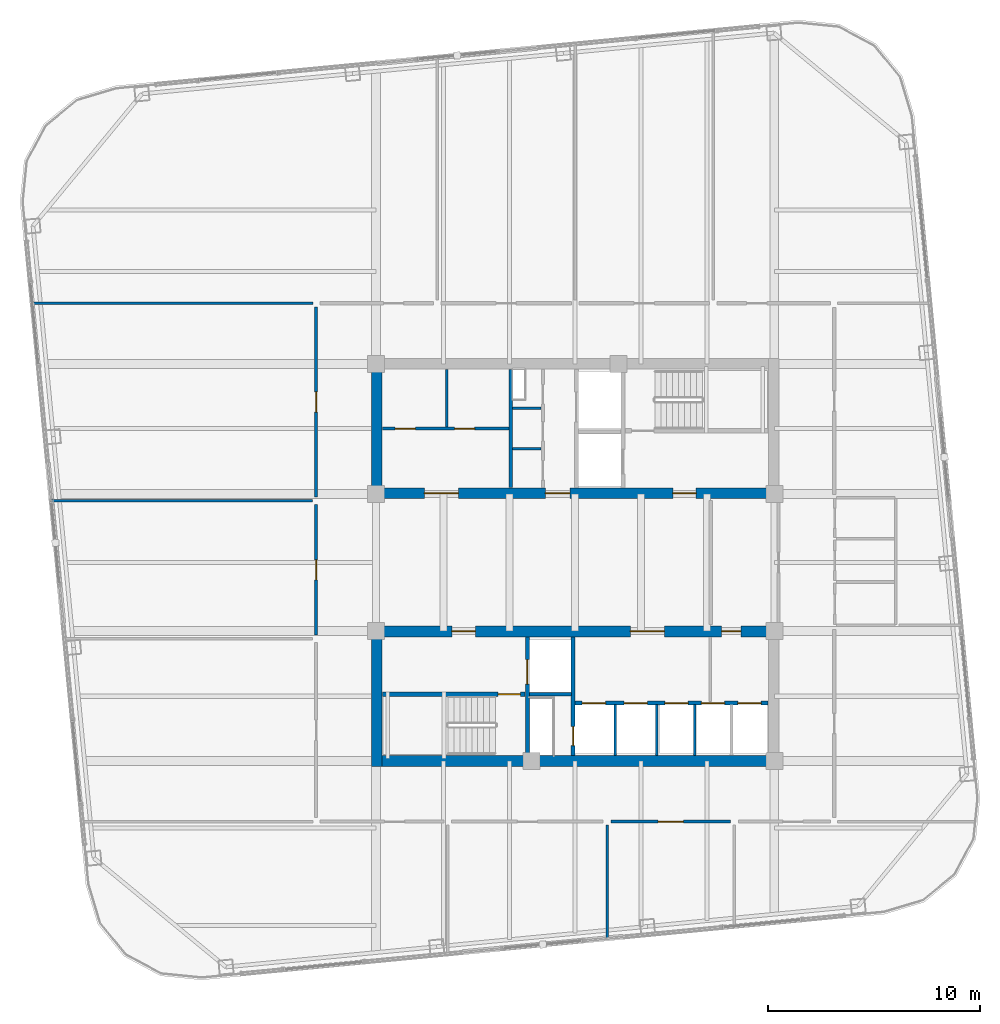
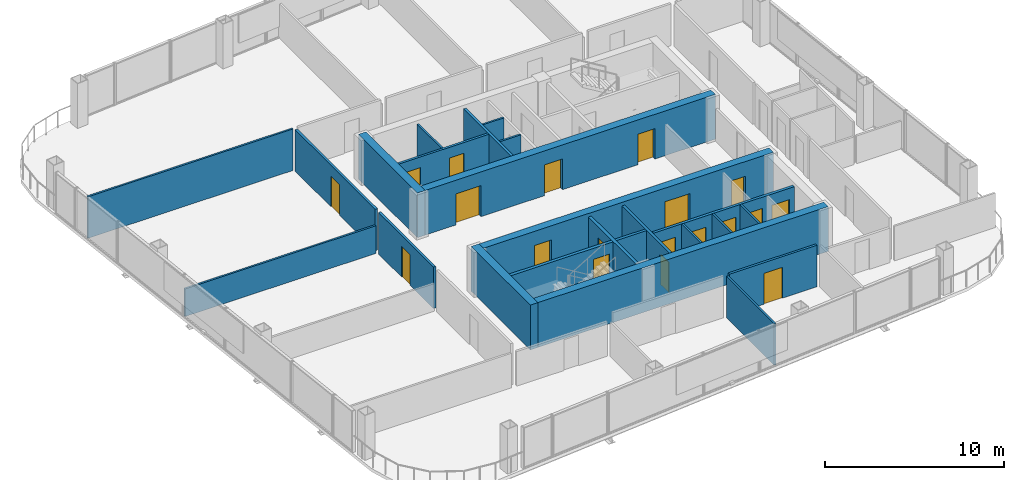
# One storey, part 17 of 22: 24 walls, 19 doors, 19 openings.
"""IFC4 building model written with IfcOpenShell, lengths in metres."""

import ifcopenshell
import ifcopenshell.guid

model = None  # the IFC model being written
_history = None  # IfcOwnerHistory: only IFC2X3 demands one
_inside = {}  # id of a spatial element -> (the spatial element, [elements in it])
_under = {}  # id of a project, library or spatial element -> (it, [spatial elements below it])
_declared = {}  # id of a project -> (the project, [libraries it declares])
_typed = {}  # id of a type object -> (the type object, [elements of that type])
_made_of = {}  # id of a material, layer set ... -> (it, [elements and type objects made of it])


def new_model(schema):
    """Start an empty IFC model of exactly this schema.

    Asked for "IFC4X3", IfcOpenShell would pick the latest addendum, in which some entities
    have other attributes; the version numbers below select the first issue.
    IFC2X3 requires an IfcOwnerHistory on every rooted entity: one is made here for all.
    """
    global model, _history
    if schema == "IFC4X3":
        model = ifcopenshell.file(schema_version=(4, 3, 0, 0))
    else:
        model = ifcopenshell.file(schema=schema)
    _inside.clear()
    _under.clear()
    _declared.clear()
    _typed.clear()
    _made_of.clear()
    _history = None
    if model.schema == "IFC2X3":
        org = make("IfcOrganization", Name="unknown")
        user = make(
            "IfcPersonAndOrganization",
            ThePerson=make("IfcPerson", FamilyName="unknown"),
            TheOrganization=org,
        )
        app = make(
            "IfcApplication",
            ApplicationDeveloper=org,
            Version="unknown",
            ApplicationFullName="unknown",
            ApplicationIdentifier="unknown",
        )
        _history = make(
            "IfcOwnerHistory",
            OwningUser=user,
            OwningApplication=app,
            ChangeAction="ADDED",
            CreationDate=0,
        )
    return model


def make(cls, **values):
    """One entity of the class cls with the attributes given. An attribute that is None is left unset."""
    return model.create_entity(
        cls, **{name: value for name, value in values.items() if value is not None}
    )


def rooted(cls, **values):
    """An entity with a GlobalId (a new one), such as an element, a storey or a relation."""
    return make(cls, GlobalId=ifcopenshell.guid.new(), OwnerHistory=_history, **values)


def si_unit(unit_type, name, prefix=None):
    """IfcSIUnit, for example si_unit("LENGTHUNIT", "METRE", prefix="MILLI")."""
    return make("IfcSIUnit", UnitType=unit_type, Prefix=prefix, Name=name)


def assignment(units):
    """IfcUnitAssignment: the units of a project."""
    return None if units is None else make("IfcUnitAssignment", Units=units)


def point(xyz):
    """IfcCartesianPoint."""
    return None if xyz is None else make("IfcCartesianPoint", Coordinates=xyz)


def direction(xyz):
    """IfcDirection."""
    return None if xyz is None else make("IfcDirection", DirectionRatios=xyz)


def frame(location, z_axis=None, x_axis=None):
    """IfcAxis2Placement3D, a coordinate frame: its origin and axes. An axis left out is left unset."""
    return make(
        "IfcAxis2Placement3D",
        Location=point(location),
        Axis=direction(z_axis),
        RefDirection=direction(x_axis),
    )


def frame_2d(location, x_axis=None):
    """IfcAxis2Placement2D, a coordinate frame in the plane: its origin and x axis."""
    return make(
        "IfcAxis2Placement2D", Location=point(location), RefDirection=direction(x_axis)
    )


def origin():
    """The frame at (0, 0, 0) with its axes left unset."""
    return frame((0.0, 0.0, 0.0))


def place(relative_to, where):
    """IfcLocalPlacement: puts the frame where relative to a parent placement (None: the world)."""
    return make(
        "IfcLocalPlacement", PlacementRelTo=relative_to, RelativePlacement=where
    )


def context(
    kind, dimensions, precision=None, world=None, true_north=None, identifier=None
):
    """IfcGeometricRepresentationContext, for example the 3D "Model" context."""
    return make(
        "IfcGeometricRepresentationContext",
        ContextIdentifier=identifier,
        ContextType=kind,
        CoordinateSpaceDimension=dimensions,
        Precision=precision,
        WorldCoordinateSystem=world,
        TrueNorth=true_north,
    )


def subcontext(parent, identifier, kind, view, scale=None):
    """IfcGeometricRepresentationSubContext, for example "Body" below "Model"."""
    return make(
        "IfcGeometricRepresentationSubContext",
        ContextIdentifier=identifier,
        ContextType=kind,
        ParentContext=parent,
        TargetScale=scale,
        TargetView=view,
    )


def project(units=None, contexts=None):
    """IfcProject with its units and contexts."""
    return rooted(
        "IfcProject",
        Name="project",
        RepresentationContexts=contexts,
        UnitsInContext=assignment(units),
    )


def spatial(cls, under=None, at=None, **own):
    """A site, building, storey or space (cls), placed at a placement, below another one or the project."""
    s = rooted(cls, ObjectPlacement=at, **own)
    if under is not None:
        _under.setdefault(under.id(), (under, []))[1].append(s)
    return s


def profile(cls, at=None, kind="AREA", **sizes):
    """A parametric profile (cls). Its sizes go by their IFC names, for example OverallWidth=200.0."""
    return make(cls, ProfileType=kind, Position=at, **sizes)


def rectangle(**sizes):
    """IfcRectangleProfileDef."""
    return profile("IfcRectangleProfileDef", **sizes)


def extrude(swept, where, along, depth):
    """IfcExtrudedAreaSolid: the profile swept, set in the frame where, extruded along a direction by depth."""
    return make(
        "IfcExtrudedAreaSolid",
        SweptArea=swept,
        Position=where,
        ExtrudedDirection=direction(along),
        Depth=depth,
    )


def shape(context_of_items, identifier, shape_type, items):
    """IfcShapeRepresentation: the items that make up one representation, for example the "Body"."""
    return make(
        "IfcShapeRepresentation",
        ContextOfItems=context_of_items,
        RepresentationIdentifier=identifier,
        RepresentationType=shape_type,
        Items=items,
    )


def material(Name=None, Category=None):
    """IfcMaterial."""
    return make("IfcMaterial", Name=Name, Category=Category)


def layer(
    of_material, thickness, ventilated=None, Name=None, Category=None, Priority=None
):
    """IfcMaterialLayer: one layer of a wall or slab, of a material (None: an air gap)."""
    return make(
        "IfcMaterialLayer",
        Material=of_material,
        LayerThickness=thickness,
        IsVentilated=ventilated,
        Name=Name,
        Category=Category,
        Priority=Priority,
    )


def layer_set(layers, Name=None):
    """IfcMaterialLayerSet."""
    return make("IfcMaterialLayerSet", MaterialLayers=layers, LayerSetName=Name)


def made_of(thing, what):
    """Note that an element or type object is made of a material, layer set ...; save() writes the relation."""
    if what is not None:
        _made_of.setdefault(what.id(), (what, []))[1].append(thing)
    return thing


def type_object(cls, material=None, **own):
    """A type object (cls), such as IfcWallType, which elements share."""
    return made_of(rooted(cls, **own), material)


def element(
    cls,
    number,
    at=None,
    inside=None,
    cuts=None,
    type_object=None,
    material=None,
    context=None,
    identifier="Body",
    shape_type=None,
    held_by="IfcProductDefinitionShape",
    body=None,
    shapes=None,
    **own,
):
    """One element of the class cls, such as IfcWall. Its Tag is "e" and its number.

    at: its placement. inside: the storey or other place that contains it. cuts: it is an
    opening in that element (IfcRelVoidsElement). A single representation is given by context,
    identifier, shape_type and body (its items); several are given by shapes. held_by: the class
    of the entity that holds the representations. save() writes the other relations.
    """
    e = rooted(cls, Tag="e%d" % number, ObjectPlacement=at, **own)
    if body is not None:
        shapes = [shape(context, identifier, shape_type, body)]
    if shapes is not None:
        e.Representation = make(held_by, Representations=shapes)
    if inside is not None:
        _inside.setdefault(inside.id(), (inside, []))[1].append(e)
    if cuts is not None:
        rooted(
            "IfcRelVoidsElement", RelatingBuildingElement=cuts, RelatedOpeningElement=e
        )
    if type_object is not None:
        _typed.setdefault(type_object.id(), (type_object, []))[1].append(e)
    return made_of(e, material)


def fill(opening, filler):
    """IfcRelFillsElement: the door or window that sits in an opening."""
    return rooted(
        "IfcRelFillsElement",
        RelatingOpeningElement=opening,
        RelatedBuildingElement=filler,
    )


def aggregate(whole, parts):
    """IfcRelAggregates: a whole, such as a stair, and the parts it consists of."""
    return rooted("IfcRelAggregates", RelatingObject=whole, RelatedObjects=parts)


def save(model, path):
    """Write the relations noted so far, then the file.

    IfcRelAggregates (storeys below a building ...), IfcRelContainedInSpatialStructure (elements
    in a storey), IfcRelDefinesByType, IfcRelAssociatesMaterial and IfcRelDeclares: one each for
    every whole, place, type object, material and project.
    """
    for whole, parts in _under.values():
        aggregate(whole, parts)
    for where, things in _inside.values():
        rooted(
            "IfcRelContainedInSpatialStructure",
            RelatedElements=things,
            RelatingStructure=where,
        )
    for kind, things in _typed.values():
        rooted("IfcRelDefinesByType", RelatedObjects=things, RelatingType=kind)
    for what, things in _made_of.values():
        rooted("IfcRelAssociatesMaterial", RelatedObjects=things, RelatingMaterial=what)
    for by, libraries in _declared.values():
        rooted("IfcRelDeclares", RelatingContext=by, RelatedDefinitions=libraries)
    model.write(path)


model = new_model("IFC4")

# Units and contexts
model_context = context("Model", 3, precision=1e-05, world=origin(), true_north=direction((0.0, 1.0)))
body_context = subcontext(model_context, "Body", "Model", "MODEL_VIEW")
ifc_project = project(units=[si_unit("LENGTHUNIT", "METRE"), si_unit("AREAUNIT", "SQUARE_METRE"), si_unit("VOLUMEUNIT", "CUBIC_METRE"), si_unit("PLANEANGLEUNIT", "RADIAN"), si_unit("MASSUNIT", "GRAM", prefix="KILO")], contexts=[model_context])

# Site, building, storey
site_placement = place(None, origin())
site = spatial("IfcSite", under=ifc_project, at=site_placement, CompositionType="ELEMENT")
building_placement = place(site_placement, origin())
building = spatial("IfcBuilding", under=site, at=building_placement, Name="Qhalaya Broadcast Tower", CompositionType="ELEMENT")
storey_placement = place(building_placement, frame((0.0, 0.0, 174.449951171875)))
storey = spatial("IfcBuildingStorey", under=building, at=storey_placement, Name="L51", CompositionType="ELEMENT", Elevation=174.449951171875)

# Wall, openings, doors
ifc_material_1 = material(Name="Gypsum Acoustic Partition")
ifc_layer_1 = layer(ifc_material_1, 0.14990234375, Name="Gypsum Acoustic Partition")
ifc_layer_set_1 = layer_set([ifc_layer_1], Name="Gypsum Acoustic Partition")
wall_type_1 = type_object("IfcWallType", Name="Corridor & Tenancy Acoustic Partition 150", PredefinedType="PARTITIONING", material=ifc_layer_set_1)
wall_1_placement = place(storey_placement, frame((-9.080078125, 6.89990234375, 0.0), z_axis=(0.0, 0.0, 1.0), x_axis=(1.0, 0.0, 0.0)))
wall_1 = element("IfcWall", 1, at=wall_1_placement, inside=storey, type_object=wall_type_1, Name="L51 Partition Wall NCW-REC1", PredefinedType="PARTITIONING", context=body_context, shape_type="SweptSolid", body=[
    extrude(rectangle(XDim=5.9599609375, YDim=0.14990234375, at=frame_2d((2.97998046875, 0.0))), origin(), (0.0, 0.0, 1.0), 2.830078125),
])
opening_1_placement = place(wall_1_placement, frame((0.60009765625, 0.0, 0.0)))
opening_1 = element("IfcOpeningElement", 2, at=opening_1_placement, cuts=wall_1, Name="Opening D10", PredefinedType="OPENING", context=body_context, shape_type="SweptSolid", body=[
    extrude(rectangle(XDim=0.949951171875, YDim=2.10009765625, at=frame_2d((0.47509765625, 1.050048828125))), frame((0.0, 0.0869140625, 0.0), z_axis=(0.0, -1.0, 0.0), x_axis=(1.0, 0.0, 0.0)), (0.0, 0.0, 1.0), 0.173828125),
])
opening_2_placement = place(wall_1_placement, frame((3.39990234375, 0.0, 0.0)))
opening_2 = element("IfcOpeningElement", 3, at=opening_2_placement, cuts=wall_1, Name="Opening D10", PredefinedType="OPENING", context=body_context, shape_type="SweptSolid", body=[
    extrude(rectangle(XDim=0.949951171875, YDim=2.10009765625, at=frame_2d((0.47509765625, 1.050048828125))), frame((0.0, 0.0869140625, 0.0), z_axis=(0.0, -1.0, 0.0), x_axis=(1.0, 0.0, 0.0)), (0.0, 0.0, 1.0), 0.173828125),
])
ifc_material_2 = material(Name="Timber Veneer Acoustic Door", Category="wood")
door_type_1 = type_object("IfcDoorType", Name="Cellular Office & Edit Booth Door D10", OperationType="NOTDEFINED", PredefinedType="DOOR", material=ifc_material_2)
door_1_placement = place(opening_1_placement, origin())
door_1 = element("IfcDoor", 4, at=door_1_placement, inside=storey, type_object=door_type_1, Name="L51 Door D-NREC1", OperationType="SINGLE_SWING_LEFT", OverallHeight=2.10009765625, OverallWidth=0.949951171875, PredefinedType="DOOR", context=body_context, shape_type="SweptSolid", body=[
    extrude(rectangle(XDim=0.949951171875, YDim=2.10009765625, at=frame_2d((0.47509765625, 1.050048828125))), frame((0.0, 0.02490234375, 0.0), z_axis=(0.0, -1.0, 0.0), x_axis=(1.0, 0.0, 0.0)), (0.0, 0.0, 1.0), 0.050048828125),
])
fill(opening_1, door_1)
door_2_placement = place(opening_2_placement, origin())
door_2 = element("IfcDoor", 5, at=door_2_placement, inside=storey, type_object=door_type_1, Name="L51 Door D-NREC2", OperationType="SINGLE_SWING_RIGHT", OverallHeight=2.10009765625, OverallWidth=0.949951171875, PredefinedType="DOOR", context=body_context, shape_type="SweptSolid", body=[
    extrude(rectangle(XDim=0.949951171875, YDim=2.10009765625, at=frame_2d((0.47509765625, 1.050048828125))), frame((0.0, 0.02490234375, 0.0), z_axis=(0.0, -1.0, 0.0), x_axis=(1.0, 0.0, 0.0)), (0.0, 0.0, 1.0), 0.050048828125),
])
fill(opening_2, door_2)

# Wall, opening, door
wall_2_placement = place(storey_placement, frame((1.679931640625, -11.60009765625, 0.0), z_axis=(0.0, 0.0, 1.0), x_axis=(1.0, 0.0, 0.0)))
wall_2 = element("IfcWall", 6, at=wall_2_placement, inside=storey, type_object=wall_type_1, Name="L51 Partition Wall W-COR-07", PredefinedType="PARTITIONING", context=body_context, shape_type="SweptSolid", body=[
    extrude(rectangle(XDim=5.64013671875, YDim=0.14990234375, at=frame_2d((2.820068359375, 0.0))), origin(), (0.0, 0.0, 1.0), 2.830078125),
])
opening_3_placement = place(wall_2_placement, frame((2.219970703125, 0.0, 0.0)))
opening_3 = element("IfcOpeningElement", 7, at=opening_3_placement, cuts=wall_2, Name="Opening D11", PredefinedType="OPENING", context=body_context, shape_type="SweptSolid", body=[
    extrude(rectangle(XDim=1.199951171875, YDim=2.10009765625, at=frame_2d((0.60009765625, 1.050048828125))), frame((0.0, 0.0869140625, 0.0), z_axis=(0.0, -1.0, 0.0), x_axis=(1.0, 0.0, 0.0)), (0.0, 0.0, 1.0), 0.173828125),
])
ifc_material_3 = material(Name="Anodised Aluminium Glazed Door", Category="aluminium")
door_type_2 = type_object("IfcDoorType", Name="Conference, Boardroom & Studio Control Door D11", OperationType="NOTDEFINED", PredefinedType="DOOR", material=ifc_material_3)
door_3_placement = place(opening_3_placement, origin())
door_3 = element("IfcDoor", 8, at=door_3_placement, inside=storey, type_object=door_type_2, Name="L51 Door D-RM07", OperationType="SINGLE_SWING_LEFT", OverallHeight=2.10009765625, OverallWidth=1.199951171875, PredefinedType="DOOR", context=body_context, shape_type="SweptSolid", body=[
    extrude(rectangle(XDim=1.199951171875, YDim=2.10009765625, at=frame_2d((0.60009765625, 1.050048828125))), frame((0.0, 0.02490234375, 0.0), z_axis=(0.0, -1.0, 0.0), x_axis=(1.0, 0.0, 0.0)), (0.0, 0.0, 1.0), 0.050048828125),
])
fill(opening_3, door_3)

wall_3_placement = place(storey_placement, frame((-12.199951171875, -2.820068359375, 0.0), z_axis=(0.0, 0.0, 1.0), x_axis=(0.0, 1.0, 0.0)))
wall_3 = element("IfcWall", 9, at=wall_3_placement, inside=storey, type_object=wall_type_1, Name="L51 Partition Wall W-COR-10", PredefinedType="PARTITIONING", context=body_context, shape_type="SweptSolid", body=[
    extrude(rectangle(XDim=6.14013671875, YDim=0.14990234375, at=frame_2d((3.070068359375, 0.0))), origin(), (0.0, 0.0, 1.0), 2.830078125),
])
opening_4_placement = place(wall_3_placement, frame((2.594970703125, 0.0, 0.0)))
opening_4 = element("IfcOpeningElement", 10, at=opening_4_placement, cuts=wall_3, Name="Opening D10", PredefinedType="OPENING", context=body_context, shape_type="SweptSolid", body=[
    extrude(rectangle(XDim=0.949951171875, YDim=2.10009765625, at=frame_2d((0.47509765625, 1.050048828125))), frame((0.0, 0.0869140625, 0.0), z_axis=(0.0, -1.0, 0.0), x_axis=(1.0, 0.0, 0.0)), (0.0, 0.0, 1.0), 0.173828125),
])
door_4_placement = place(opening_4_placement, origin())
door_4 = element("IfcDoor", 11, at=door_4_placement, inside=storey, type_object=door_type_1, Name="L51 Door D-RM10", OperationType="SINGLE_SWING_RIGHT", OverallHeight=2.10009765625, OverallWidth=0.949951171875, PredefinedType="DOOR", context=body_context, shape_type="SweptSolid", body=[
    extrude(rectangle(XDim=0.949951171875, YDim=2.10009765625, at=frame_2d((0.47509765625, 1.050048828125))), frame((0.0, 0.02490234375, 0.0), z_axis=(0.0, -1.0, 0.0), x_axis=(1.0, 0.0, 0.0)), (0.0, 0.0, 1.0), 0.050048828125),
])
fill(opening_4, door_4)

wall_4_placement = place(storey_placement, frame((-12.199951171875, 3.679931640625, 0.0), z_axis=(0.0, 0.0, 1.0), x_axis=(0.0, 1.0, 0.0)))
wall_4 = element("IfcWall", 12, at=wall_4_placement, inside=storey, type_object=wall_type_1, Name="L51 Partition Wall W-COR-11", PredefinedType="PARTITIONING", context=body_context, shape_type="SweptSolid", body=[
    extrude(rectangle(XDim=8.940185546875, YDim=0.14990234375, at=frame_2d((4.47021484375, 0.0))), origin(), (0.0, 0.0, 1.0), 2.830078125),
])
opening_5_placement = place(wall_4_placement, frame((3.9951171875, 0.0, 0.0)))
opening_5 = element("IfcOpeningElement", 13, at=opening_5_placement, cuts=wall_4, Name="Opening D10", PredefinedType="OPENING", context=body_context, shape_type="SweptSolid", body=[
    extrude(rectangle(XDim=0.949951171875, YDim=2.10009765625, at=frame_2d((0.47509765625, 1.050048828125))), frame((0.0, 0.0869140625, 0.0), z_axis=(0.0, -1.0, 0.0), x_axis=(1.0, 0.0, 0.0)), (0.0, 0.0, 1.0), 0.173828125),
])
door_5_placement = place(opening_5_placement, origin())
door_5 = element("IfcDoor", 14, at=door_5_placement, inside=storey, type_object=door_type_1, Name="L51 Door D-RM11", OperationType="SINGLE_SWING_LEFT", OverallHeight=2.10009765625, OverallWidth=0.949951171875, PredefinedType="DOOR", context=body_context, shape_type="SweptSolid", body=[
    extrude(rectangle(XDim=0.949951171875, YDim=2.10009765625, at=frame_2d((0.47509765625, 1.050048828125))), frame((0.0, 0.02490234375, 0.0), z_axis=(0.0, -1.0, 0.0), x_axis=(1.0, 0.0, 0.0)), (0.0, 0.0, 1.0), 0.050048828125),
])
fill(opening_5, door_5)

ifc_material_4 = material(Name="Concrete C50/60", Category="concrete")
ifc_layer_2 = layer(ifc_material_4, 0.199951171875, Name="Concrete C50/60")
ifc_layer_set_2 = layer_set([ifc_layer_2], Name="Concrete C50/60")
wall_type_2 = type_object("IfcWallType", Name="Load-Bearing Stair Shaft Wall 200", PredefinedType="SHEAR", material=ifc_layer_set_2)
wall_5_placement = place(storey_placement, frame((-9.080078125, -5.60498046875, 0.0), z_axis=(0.0, 0.0, 1.0), x_axis=(1.0, 0.0, 0.0)))
wall_5 = element("IfcWall", 15, at=wall_5_placement, inside=storey, type_object=wall_type_2, Name="L51 Stair Core Shear Wall SCW-ST2", PredefinedType="SHEAR", context=body_context, shape_type="SweptSolid", body=[
    extrude(rectangle(XDim=6.719970703125, YDim=0.199951171875, at=frame_2d((3.35986328125, 0.0))), origin(), (0.0, 0.0, 1.0), 2.830078125),
])
opening_6_placement = place(wall_5_placement, frame((5.449951171875, 0.0, 0.0)))
opening_6 = element("IfcOpeningElement", 16, at=opening_6_placement, cuts=wall_5, Name="Opening D03", PredefinedType="OPENING", context=body_context, shape_type="SweptSolid", body=[
    extrude(rectangle(XDim=1.050048828125, YDim=2.080078125, at=frame_2d((0.52490234375, 1.0400390625))), frame((0.0, 0.112060546875, 0.0), z_axis=(0.0, -1.0, 0.0), x_axis=(1.0, 0.0, 0.0)), (0.0, 0.0, 1.0), 0.223876953125),
])
ifc_material_5 = material(Name="Fire-Rated Steel Door", Category="steel")
door_type_3 = type_object("IfcDoorType", Name="Core Stair Protected Fire Door D03", OperationType="NOTDEFINED", PredefinedType="DOOR", material=ifc_material_5)
door_6_placement = place(opening_6_placement, origin())
door_6 = element("IfcDoor", 17, at=door_6_placement, inside=storey, type_object=door_type_3, Name="L51 Door D-SST2", OperationType="SINGLE_SWING_RIGHT", OverallHeight=2.080078125, OverallWidth=1.050048828125, PredefinedType="DOOR", context=body_context, shape_type="SweptSolid", body=[
    extrude(rectangle(XDim=1.050048828125, YDim=2.080078125, at=frame_2d((0.52490234375, 1.0400390625))), frame((0.0, 0.02490234375, 0.0), z_axis=(0.0, -1.0, 0.0), x_axis=(1.0, 0.0, 0.0)), (0.0, 0.0, 1.0), 0.050048828125),
])
fill(opening_6, door_6)

wall_6_placement = place(storey_placement, frame((-2.25, -8.47998046875, 0.0), z_axis=(0.0, 0.0, 1.0), x_axis=(0.0, 1.0, 0.0)))
wall_6 = element("IfcWall", 18, at=wall_6_placement, inside=storey, type_object=wall_type_2, Name="L51 Stair Core Shear Wall SCW-FF", PredefinedType="SHEAR", context=body_context, shape_type="SweptSolid", body=[
    extrude(rectangle(XDim=5.56005859375, YDim=0.199951171875, at=frame_2d((2.780029296875, 0.0))), origin(), (0.0, 0.0, 1.0), 2.830078125),
])
opening_7_placement = place(wall_6_placement, frame((3.35009765625, 0.0, 0.0)))
opening_7 = element("IfcOpeningElement", 19, at=opening_7_placement, cuts=wall_6, Name="Opening LD2", PredefinedType="OPENING", context=body_context, shape_type="SweptSolid", body=[
    extrude(rectangle(XDim=1.14990234375, YDim=2.080078125, at=frame_2d((0.574951171875, 1.0400390625))), frame((0.0, 0.112060546875, 0.0), z_axis=(0.0, -1.0, 0.0), x_axis=(1.0, 0.0, 0.0)), (0.0, 0.0, 1.0), 0.223876953125),
])
ifc_material_6 = material(Name="Brushed Stainless Steel Lift Door", Category="steel")
door_type_4 = type_object("IfcDoorType", Name="Firefighting Lift Sliding Landing Door LD2", OperationType="DOUBLE_DOOR_SLIDING", PredefinedType="DOOR", material=ifc_material_6)
door_7_placement = place(opening_7_placement, origin())
door_7 = element("IfcDoor", 20, at=door_7_placement, inside=storey, type_object=door_type_4, Name="L51 Door LD-FF2", OperationType="DOUBLE_DOOR_SLIDING", OverallHeight=2.080078125, OverallWidth=1.14990234375, PredefinedType="DOOR", context=body_context, shape_type="SweptSolid", body=[
    extrude(rectangle(XDim=1.14990234375, YDim=2.080078125, at=frame_2d((0.574951171875, 1.0400390625))), frame((0.0, 0.02490234375, 0.0), z_axis=(0.0, -1.0, 0.0), x_axis=(1.0, 0.0, 0.0)), (0.0, 0.0, 1.0), 0.050048828125),
])
fill(opening_7, door_7)

# Wall, openings, doors
ifc_layer_3 = layer(ifc_material_4, 0.5, Name="Concrete C50/60")
ifc_layer_set_3 = layer_set([ifc_layer_3], Name="Concrete C50/60")
wall_type_3 = type_object("IfcWallType", Name="Mid Split-Core Shear Wall 500", PredefinedType="SHEAR", material=ifc_layer_set_3)
wall_7_placement = place(storey_placement, frame((-9.60009765625, 3.85009765625, 0.0), z_axis=(0.0, 0.0, 1.0), x_axis=(1.0, 0.0, 0.0)))
wall_7 = element("IfcWall", 21, at=wall_7_placement, inside=storey, type_object=wall_type_3, Name="L51 Split-Core Shear Wall CW-NS", PredefinedType="SHEAR", context=body_context, shape_type="SweptSolid", body=[
    extrude(rectangle(XDim=19.2001953125, YDim=0.5, at=frame_2d((9.60009765625, 0.0))), origin(), (0.0, 0.0, 1.0), 3.050048828125),
])
opening_8_placement = place(wall_7_placement, frame((14.199951171875, 0.0, 0.0)))
opening_8 = element("IfcOpeningElement", 22, at=opening_8_placement, cuts=wall_7, Name="Opening D04", PredefinedType="OPENING", context=body_context, shape_type="SweptSolid", body=[
    extrude(rectangle(XDim=1.10009765625, YDim=2.080078125, at=frame_2d((0.550048828125, 1.0400390625))), frame((0.0, 0.261962890625, 0.0), z_axis=(0.0, -1.0, 0.0), x_axis=(1.0, 0.0, 0.0)), (0.0, 0.0, 1.0), 0.52392578125),
])
opening_9_placement = place(wall_7_placement, frame((8.199951171875, 0.0, 0.0)))
opening_9 = element("IfcOpeningElement", 23, at=opening_9_placement, cuts=wall_7, Name="Opening D05", PredefinedType="OPENING", context=body_context, shape_type="SweptSolid", body=[
    extrude(rectangle(XDim=1.14990234375, YDim=2.10009765625, at=frame_2d((0.574951171875, 1.050048828125))), frame((0.0, 0.261962890625, 0.0), z_axis=(0.0, -1.0, 0.0), x_axis=(1.0, 0.0, 0.0)), (0.0, 0.0, 1.0), 0.52392578125),
])
opening_10_placement = place(wall_7_placement, frame((2.5, 0.0, 0.0)))
opening_10 = element("IfcOpeningElement", 24, at=opening_10_placement, cuts=wall_7, Name="Opening D07", PredefinedType="OPENING", context=body_context, shape_type="SweptSolid", body=[
    extrude(rectangle(XDim=1.60009765625, YDim=2.1201171875, at=frame_2d((0.800048828125, 1.06005859375))), frame((0.0, 0.261962890625, 0.0), z_axis=(0.0, -1.0, 0.0), x_axis=(1.0, 0.0, 0.0)), (0.0, 0.0, 1.0), 0.52392578125),
])
door_type_5 = type_object("IfcDoorType", Name="Firefighting Lobby Rated Door D04", OperationType="NOTDEFINED", PredefinedType="DOOR", material=ifc_material_5)
door_8_placement = place(opening_8_placement, origin())
door_8 = element("IfcDoor", 25, at=door_8_placement, inside=storey, type_object=door_type_5, Name="L51 Door D-NFF", OperationType="SINGLE_SWING_RIGHT", OverallHeight=2.080078125, OverallWidth=1.10009765625, PredefinedType="DOOR", context=body_context, shape_type="SweptSolid", body=[
    extrude(rectangle(XDim=1.10009765625, YDim=2.080078125, at=frame_2d((0.550048828125, 1.0400390625))), frame((0.0, 0.02490234375, 0.0), z_axis=(0.0, -1.0, 0.0), x_axis=(1.0, 0.0, 0.0)), (0.0, 0.0, 1.0), 0.050048828125),
])
fill(opening_8, door_8)
door_type_6 = type_object("IfcDoorType", Name="Passenger Lift Lobby Double Glazed Door D07", OperationType="DOUBLE_DOOR_SINGLE_SWING", PredefinedType="DOOR", material=ifc_material_3)
door_9_placement = place(opening_10_placement, origin())
door_9 = element("IfcDoor", 26, at=door_9_placement, inside=storey, type_object=door_type_6, Name="L51 Door D-NRECV", OperationType="DOUBLE_DOOR_SINGLE_SWING", OverallHeight=2.1201171875, OverallWidth=1.60009765625, PredefinedType="DOOR", context=body_context, shape_type="SweptSolid", body=[
    extrude(rectangle(XDim=1.60009765625, YDim=2.1201171875, at=frame_2d((0.800048828125, 1.06005859375))), frame((0.0, 0.02490234375, 0.0), z_axis=(0.0, -1.0, 0.0), x_axis=(1.0, 0.0, 0.0)), (0.0, 0.0, 1.0), 0.050048828125),
])
fill(opening_10, door_9)
door_type_7 = type_object("IfcDoorType", Name="Refuge & Plant Room Fire Door D05", OperationType="NOTDEFINED", PredefinedType="DOOR", material=ifc_material_5)
door_10_placement = place(opening_9_placement, origin())
door_10 = element("IfcDoor", 27, at=door_10_placement, inside=storey, type_object=door_type_7, Name="L51 Door D-NSVL", OperationType="SINGLE_SWING_LEFT", OverallHeight=2.10009765625, OverallWidth=1.14990234375, PredefinedType="DOOR", context=body_context, shape_type="SweptSolid", body=[
    extrude(rectangle(XDim=1.14990234375, YDim=2.10009765625, at=frame_2d((0.574951171875, 1.050048828125))), frame((0.0, 0.02490234375, 0.0), z_axis=(0.0, -1.0, 0.0), x_axis=(1.0, 0.0, 0.0)), (0.0, 0.0, 1.0), 0.050048828125),
])
fill(opening_9, door_10)

# Walls
wall_8_placement = place(storey_placement, frame((-9.35009765625, 3.60009765625, 0.0), z_axis=(0.0, 0.0, 1.0), x_axis=(0.0, 1.0, 0.0)))
element("IfcWall", 28, at=wall_8_placement, inside=storey, type_object=wall_type_3, Name="L51 Split-Core Shear Wall CW-NW", PredefinedType="SHEAR", context=body_context, shape_type="SweptSolid", body=[
    extrude(rectangle(XDim=6.599853515625, YDim=0.5, at=frame_2d((3.2998046875, 0.0))), origin(), (0.0, 0.0, 1.0), 3.050048828125),
])
wall_9_placement = place(storey_placement, frame((-9.60009765625, -8.75, 0.0), z_axis=(0.0, 0.0, 1.0), x_axis=(1.0, 0.0, 0.0)))
element("IfcWall", 29, at=wall_9_placement, inside=storey, type_object=wall_type_3, Name="L51 Split-Core Shear Wall CW-SS", PredefinedType="SHEAR", context=body_context, shape_type="SweptSolid", body=[
    extrude(rectangle(XDim=19.2001953125, YDim=0.5, at=frame_2d((9.60009765625, 0.0))), origin(), (0.0, 0.0, 1.0), 3.050048828125),
])

# Wall, openings, doors
wall_10_placement = place(storey_placement, frame((-9.60009765625, -2.64990234375, 0.0), z_axis=(0.0, 0.0, 1.0), x_axis=(1.0, 0.0, 0.0)))
wall_10 = element("IfcWall", 30, at=wall_10_placement, inside=storey, type_object=wall_type_3, Name="L51 Split-Core Shear Wall CW-SN", PredefinedType="SHEAR", context=body_context, shape_type="SweptSolid", body=[
    extrude(rectangle(XDim=19.2001953125, YDim=0.5, at=frame_2d((9.60009765625, 0.0))), origin(), (0.0, 0.0, 1.0), 3.050048828125),
])
opening_11_placement = place(wall_10_placement, frame((3.800048828125, 0.0, 0.0)))
opening_11 = element("IfcOpeningElement", 31, at=opening_11_placement, cuts=wall_10, Name="Opening D04", PredefinedType="OPENING", context=body_context, shape_type="SweptSolid", body=[
    extrude(rectangle(XDim=1.10009765625, YDim=2.080078125, at=frame_2d((0.550048828125, 1.0400390625))), frame((0.0, 0.261962890625, 0.0), z_axis=(0.0, -1.0, 0.0), x_axis=(1.0, 0.0, 0.0)), (0.0, 0.0, 1.0), 0.52392578125),
])
opening_12_placement = place(wall_10_placement, frame((12.199951171875, 0.0, 0.0)))
opening_12 = element("IfcOpeningElement", 32, at=opening_12_placement, cuts=wall_10, Name="Opening D07", PredefinedType="OPENING", context=body_context, shape_type="SweptSolid", body=[
    extrude(rectangle(XDim=1.60009765625, YDim=2.1201171875, at=frame_2d((0.800048828125, 1.06005859375))), frame((0.0, 0.261962890625, 0.0), z_axis=(0.0, -1.0, 0.0), x_axis=(1.0, 0.0, 0.0)), (0.0, 0.0, 1.0), 0.52392578125),
])
opening_13_placement = place(wall_10_placement, frame((16.5, 0.0, 0.0)))
opening_13 = element("IfcOpeningElement", 33, at=opening_13_placement, cuts=wall_10, Name="Opening D06", PredefinedType="OPENING", context=body_context, shape_type="SweptSolid", body=[
    extrude(rectangle(XDim=0.89990234375, YDim=2.050048828125, at=frame_2d((0.449951171875, 1.02490234375))), frame((0.0, 0.261962890625, 0.0), z_axis=(0.0, -1.0, 0.0), x_axis=(1.0, 0.0, 0.0)), (0.0, 0.0, 1.0), 0.52392578125),
])
door_11_placement = place(opening_11_placement, origin())
door_11 = element("IfcDoor", 34, at=door_11_placement, inside=storey, type_object=door_type_5, Name="L51 Door D-SFF", OperationType="SINGLE_SWING_LEFT", OverallHeight=2.080078125, OverallWidth=1.10009765625, PredefinedType="DOOR", context=body_context, shape_type="SweptSolid", body=[
    extrude(rectangle(XDim=1.10009765625, YDim=2.080078125, at=frame_2d((0.550048828125, 1.0400390625))), frame((0.0, 0.02490234375, 0.0), z_axis=(0.0, -1.0, 0.0), x_axis=(1.0, 0.0, 0.0)), (0.0, 0.0, 1.0), 0.050048828125),
])
fill(opening_11, door_11)
door_12_placement = place(opening_12_placement, origin())
door_12 = element("IfcDoor", 35, at=door_12_placement, inside=storey, type_object=door_type_6, Name="L51 Door D-SPLL", OperationType="DOUBLE_DOOR_SINGLE_SWING", OverallHeight=2.1201171875, OverallWidth=1.60009765625, PredefinedType="DOOR", context=body_context, shape_type="SweptSolid", body=[
    extrude(rectangle(XDim=1.60009765625, YDim=2.1201171875, at=frame_2d((0.800048828125, 1.06005859375))), frame((0.0, 0.02490234375, 0.0), z_axis=(0.0, -1.0, 0.0), x_axis=(1.0, 0.0, 0.0)), (0.0, 0.0, 1.0), 0.050048828125),
])
fill(opening_12, door_12)
door_type_8 = type_object("IfcDoorType", Name="Riser & Electrical Shaft Access Door D06", OperationType="NOTDEFINED", PredefinedType="DOOR", material=ifc_material_5)
door_13_placement = place(opening_13_placement, origin())
door_13 = element("IfcDoor", 36, at=door_13_placement, inside=storey, type_object=door_type_8, Name="L51 Door D-SSCST", OperationType="SINGLE_SWING_LEFT", OverallHeight=2.050048828125, OverallWidth=0.89990234375, PredefinedType="DOOR", context=body_context, shape_type="SweptSolid", body=[
    extrude(rectangle(XDim=0.89990234375, YDim=2.050048828125, at=frame_2d((0.449951171875, 1.02490234375))), frame((0.0, 0.02490234375, 0.0), z_axis=(0.0, -1.0, 0.0), x_axis=(1.0, 0.0, 0.0)), (0.0, 0.0, 1.0), 0.050048828125),
])
fill(opening_13, door_13)

# Walls
wall_11_placement = place(storey_placement, frame((-9.35009765625, -9.0, 0.0), z_axis=(0.0, 0.0, 1.0), x_axis=(0.0, 1.0, 0.0)))
element("IfcWall", 37, at=wall_11_placement, inside=storey, type_object=wall_type_3, Name="L51 Split-Core Shear Wall CW-SW", PredefinedType="SHEAR", context=body_context, shape_type="SweptSolid", body=[
    extrude(rectangle(XDim=6.60009765625, YDim=0.5, at=frame_2d((3.300048828125, 0.0))), origin(), (0.0, 0.0, 1.0), 3.050048828125),
])
ifc_layer_4 = layer(ifc_material_1, 0.1201171875, Name="Gypsum Acoustic Partition")
ifc_layer_set_4 = layer_set([ifc_layer_4], Name="Gypsum Acoustic Partition")
wall_type_4 = type_object("IfcWallType", Name="Office, Booth & Sanitary Partition 120", PredefinedType="PARTITIONING", material=ifc_layer_set_4)
for number, where, z_axis, x_axis, name in (
    (38, (-2.9599609375, 5.949951171875, 0.0), (0.0, 0.0, 1.0), (1.0, 0.0, 0.0), "L51 Partition Wall NCW-VB1"),
    (39, (-2.9599609375, 7.85009765625, 0.0), (0.0, 0.0, 1.0), (1.0, 0.0, 0.0), "L51 Partition Wall NCW-VB2"),
):
    element("IfcWall", number, at=place(storey_placement, frame(where, z_axis=z_axis, x_axis=x_axis)), inside=storey, type_object=wall_type_4, Name=name, PredefinedType="PARTITIONING", context=body_context, shape_type="SweptSolid", body=[
        extrude(rectangle(XDim=1.35986328125, YDim=0.1201171875, at=frame_2d((0.679931640625, 0.0))), origin(), (0.0, 0.0, 1.0), 2.830078125),
    ])
wall_12_placement = place(storey_placement, frame((-6.050048828125, 6.97998046875, 0.0), z_axis=(0.0, 0.0, 1.0), x_axis=(0.0, 1.0, 0.0)))
element("IfcWall", 40, at=wall_12_placement, inside=storey, type_object=wall_type_4, Name="L51 Partition Wall NCW-REC2", PredefinedType="PARTITIONING", context=body_context, shape_type="SweptSolid", body=[
    extrude(rectangle(XDim=2.699951171875, YDim=0.1201171875, at=frame_2d((1.35009765625, 0.0))), origin(), (0.0, 0.0, 1.0), 2.830078125),
])
for number, where, z_axis, x_axis, name in (
    (41, (1.8798828125, -8.47998046875, 0.0), (0.0, 0.0, 1.0), (0.0, 1.0, 0.0), "L51 Partition Wall SCW-MD4"),
    (42, (3.85009765625, -8.47998046875, 0.0), (0.0, 0.0, 1.0), (0.0, 1.0, 0.0), "L51 Partition Wall SCW-MD5"),
    (43, (5.639892578125, -8.47998046875, 0.0), (0.0, 0.0, 1.0), (0.0, 1.0, 0.0), "L51 Partition Wall SCW-HD6"),
):
    element("IfcWall", number, at=place(storey_placement, frame(where, z_axis=z_axis, x_axis=x_axis)), inside=storey, type_object=wall_type_4, Name=name, PredefinedType="PARTITIONING", context=body_context, shape_type="SweptSolid", body=[
        extrude(rectangle(XDim=2.3798828125, YDim=0.1201171875, at=frame_2d((1.18994140625, 0.0))), origin(), (0.0, 0.0, 1.0), 2.830078125),
    ])
wall_13_placement = place(storey_placement, frame((-25.558837890625, 12.800048828125, 0.0), z_axis=(0.0, 0.0, 1.0), x_axis=(1.0, 0.0, 0.0)))
element("IfcWall", 44, at=wall_13_placement, inside=storey, type_object=wall_type_4, Name="L51 Partition Wall W-BNDW1", PredefinedType="PARTITIONING", context=body_context, shape_type="SweptSolid", body=[
    extrude(rectangle(XDim=13.21875, YDim=0.1201171875, at=frame_2d((6.609375, 0.0))), origin(), (0.0, 0.0, 1.0), 2.830078125),
])
wall_14_placement = place(storey_placement, frame((1.5, -17.101806640625, 0.0), z_axis=(0.0, 0.0, 1.0), x_axis=(0.0, 1.0, 0.0)))
element("IfcWall", 45, at=wall_14_placement, inside=storey, type_object=wall_type_4, Name="L51 Partition Wall W-DIVS2", PredefinedType="PARTITIONING", context=body_context, shape_type="SweptSolid", body=[
    extrude(rectangle(XDim=5.341796875, YDim=0.1201171875, at=frame_2d((2.6708984375, 0.0))), origin(), (0.0, 0.0, 1.0), 2.830078125),
])
wall_15_placement = place(storey_placement, frame((-24.663330078125, 3.5, 0.0), z_axis=(0.0, 0.0, 1.0), x_axis=(1.0, 0.0, 0.0)))
element("IfcWall", 46, at=wall_15_placement, inside=storey, type_object=wall_type_4, Name="L51 Partition Wall W-DIVW2", PredefinedType="PARTITIONING", context=body_context, shape_type="SweptSolid", body=[
    extrude(rectangle(XDim=12.30322265625, YDim=0.1201171875, at=frame_2d((6.151611328125, 0.0))), origin(), (0.0, 0.0, 1.0), 1.883056640625),
])
ifc_layer_5 = layer(ifc_material_1, 0.175048828125, Name="Gypsum Acoustic Partition")
ifc_layer_set_5 = layer_set([ifc_layer_5], Name="Gypsum Acoustic Partition")
wall_type_5 = type_object("IfcWallType", Name="Shaft & Riser Fire Partition 175", PredefinedType="PARTITIONING", material=ifc_layer_set_5)
wall_16_placement = place(storey_placement, frame((-3.0400390625, 4.1201171875, 0.0), z_axis=(0.0, 0.0, 1.0), x_axis=(0.0, 1.0, 0.0)))
element("IfcWall", 47, at=wall_16_placement, inside=storey, type_object=wall_type_5, Name="L51 Partition Wall NCW-VRW", PredefinedType="PARTITIONING", context=body_context, shape_type="SweptSolid", body=[
    extrude(rectangle(XDim=5.559814453125, YDim=0.175048828125, at=frame_2d((2.77978515625, 0.0))), origin(), (0.0, 0.0, 1.0), 2.830078125),
])

# Wall, opening, door
wall_17_placement = place(storey_placement, frame((-0.10009765625, -8.47998046875, 0.0), z_axis=(0.0, 0.0, 1.0), x_axis=(0.0, 1.0, 0.0)))
wall_17 = element("IfcWall", 48, at=wall_17_placement, inside=storey, type_object=wall_type_5, Name="L51 Partition Wall SCW-FFE", PredefinedType="PARTITIONING", context=body_context, shape_type="SweptSolid", body=[
    extrude(rectangle(XDim=5.56005859375, YDim=0.175048828125, at=frame_2d((2.780029296875, 0.0))), origin(), (0.0, 0.0, 1.0), 2.830078125),
])
opening_14_placement = place(wall_17_placement, frame((0.449951171875, 0.0, 0.0)))
opening_14 = element("IfcOpeningElement", 49, at=opening_14_placement, cuts=wall_17, Name="Opening D06", PredefinedType="OPENING", context=body_context, shape_type="SweptSolid", body=[
    extrude(rectangle(XDim=0.89990234375, YDim=2.050048828125, at=frame_2d((0.449951171875, 1.02490234375))), frame((0.0, 0.099609375, 0.0), z_axis=(0.0, -1.0, 0.0), x_axis=(1.0, 0.0, 0.0)), (0.0, 0.0, 1.0), 0.198974609375),
])
door_14_placement = place(opening_14_placement, origin())
door_14 = element("IfcDoor", 50, at=door_14_placement, inside=storey, type_object=door_type_8, Name="L51 Riser Shaft Access Door D-SRSR", OperationType="SINGLE_SWING_LEFT", OverallHeight=2.050048828125, OverallWidth=0.89990234375, PredefinedType="DOOR", context=body_context, shape_type="SweptSolid", body=[
    extrude(rectangle(XDim=0.89990234375, YDim=2.050048828125, at=frame_2d((0.449951171875, 1.02490234375))), frame((0.0, 0.02490234375, 0.0), z_axis=(0.0, -1.0, 0.0), x_axis=(1.0, 0.0, 0.0)), (0.0, 0.0, 1.0), 0.050048828125),
])
fill(opening_14, door_14)

# Wall
wall_18_placement = place(storey_placement, frame((-2.14990234375, -5.60009765625, 0.0), z_axis=(0.0, 0.0, 1.0), x_axis=(1.0, 0.0, 0.0)))
element("IfcWall", 51, at=wall_18_placement, inside=storey, type_object=wall_type_5, Name="L51 Partition Wall SCW-FFM", PredefinedType="PARTITIONING", context=body_context, shape_type="SweptSolid", body=[
    extrude(rectangle(XDim=1.969970703125, YDim=0.175048828125, at=frame_2d((0.98486328125, 0.0))), origin(), (0.0, 0.0, 1.0), 2.830078125),
])

# Wall, openings, doors
wall_19_placement = place(storey_placement, frame((0.0, -6.02001953125, 0.0), z_axis=(0.0, 0.0, 1.0), x_axis=(1.0, 0.0, 0.0)))
wall_19 = element("IfcWall", 52, at=wall_19_placement, inside=storey, type_object=wall_type_5, Name="L51 Partition Wall SCW-SLB", PredefinedType="PARTITIONING", context=body_context, shape_type="SweptSolid", body=[
    extrude(rectangle(XDim=9.080078125, YDim=0.175048828125, at=frame_2d((4.5400390625, 0.0))), origin(), (0.0, 0.0, 1.0), 2.830078125),
])
opening_15_placement = place(wall_19_placement, frame((0.330078125, 0.0, 0.0)))
opening_15 = element("IfcOpeningElement", 53, at=opening_15_placement, cuts=wall_19, Name="Opening LD1", PredefinedType="OPENING", context=body_context, shape_type="SweptSolid", body=[
    extrude(rectangle(XDim=1.10009765625, YDim=2.06005859375, at=frame_2d((0.550048828125, 1.030029296875))), frame((0.0, 0.099609375, 0.0), z_axis=(0.0, -1.0, 0.0), x_axis=(1.0, 0.0, 0.0)), (0.0, 0.0, 1.0), 0.198974609375),
])
opening_16_placement = place(wall_19_placement, frame((2.300048828125, 0.0, 0.0)))
opening_16 = element("IfcOpeningElement", 54, at=opening_16_placement, cuts=wall_19, Name="Opening LD1", PredefinedType="OPENING", context=body_context, shape_type="SweptSolid", body=[
    extrude(rectangle(XDim=1.10009765625, YDim=2.06005859375, at=frame_2d((0.550048828125, 1.030029296875))), frame((0.0, 0.099609375, 0.0), z_axis=(0.0, -1.0, 0.0), x_axis=(1.0, 0.0, 0.0)), (0.0, 0.0, 1.0), 0.198974609375),
])
opening_17_placement = place(wall_19_placement, frame((4.219970703125, 0.0, 0.0)))
opening_17 = element("IfcOpeningElement", 55, at=opening_17_placement, cuts=wall_19, Name="Opening LD1", PredefinedType="OPENING", context=body_context, shape_type="SweptSolid", body=[
    extrude(rectangle(XDim=1.10009765625, YDim=2.06005859375, at=frame_2d((0.550048828125, 1.030029296875))), frame((0.0, 0.099609375, 0.0), z_axis=(0.0, -1.0, 0.0), x_axis=(1.0, 0.0, 0.0)), (0.0, 0.0, 1.0), 0.198974609375),
])
opening_18_placement = place(wall_19_placement, frame((5.93994140625, 0.0, 0.0)))
opening_18 = element("IfcOpeningElement", 56, at=opening_18_placement, cuts=wall_19, Name="Opening LD1", PredefinedType="OPENING", context=body_context, shape_type="SweptSolid", body=[
    extrude(rectangle(XDim=1.10009765625, YDim=2.06005859375, at=frame_2d((0.550048828125, 1.030029296875))), frame((0.0, 0.099609375, 0.0), z_axis=(0.0, -1.0, 0.0), x_axis=(1.0, 0.0, 0.0)), (0.0, 0.0, 1.0), 0.198974609375),
])
opening_19_placement = place(wall_19_placement, frame((7.659912109375, 0.0, 0.0)))
opening_19 = element("IfcOpeningElement", 57, at=opening_19_placement, cuts=wall_19, Name="Opening LD1", PredefinedType="OPENING", context=body_context, shape_type="SweptSolid", body=[
    extrude(rectangle(XDim=1.10009765625, YDim=2.06005859375, at=frame_2d((0.550048828125, 1.030029296875))), frame((0.0, 0.099609375, 0.0), z_axis=(0.0, -1.0, 0.0), x_axis=(1.0, 0.0, 0.0)), (0.0, 0.0, 1.0), 0.198974609375),
])
door_type_9 = type_object("IfcDoorType", Name="Passenger Lift Sliding Landing Door LD1", OperationType="DOUBLE_DOOR_SLIDING", PredefinedType="DOOR", material=ifc_material_6)
door_15_placement = place(opening_15_placement, origin())
door_15 = element("IfcDoor", 58, at=door_15_placement, inside=storey, type_object=door_type_9, Name="L51 Door LD-P4", OperationType="DOUBLE_DOOR_SLIDING", OverallHeight=2.06005859375, OverallWidth=1.10009765625, PredefinedType="DOOR", context=body_context, shape_type="SweptSolid", body=[
    extrude(rectangle(XDim=1.10009765625, YDim=2.06005859375, at=frame_2d((0.550048828125, 1.030029296875))), frame((0.0, 0.02490234375, 0.0), z_axis=(0.0, -1.0, 0.0), x_axis=(1.0, 0.0, 0.0)), (0.0, 0.0, 1.0), 0.050048828125),
])
fill(opening_15, door_15)
door_16_placement = place(opening_16_placement, origin())
door_16 = element("IfcDoor", 59, at=door_16_placement, inside=storey, type_object=door_type_9, Name="L51 Door LD-P5", OperationType="DOUBLE_DOOR_SLIDING", OverallHeight=2.06005859375, OverallWidth=1.10009765625, PredefinedType="DOOR", context=body_context, shape_type="SweptSolid", body=[
    extrude(rectangle(XDim=1.10009765625, YDim=2.06005859375, at=frame_2d((0.550048828125, 1.030029296875))), frame((0.0, 0.02490234375, 0.0), z_axis=(0.0, -1.0, 0.0), x_axis=(1.0, 0.0, 0.0)), (0.0, 0.0, 1.0), 0.050048828125),
])
fill(opening_16, door_16)
door_17_placement = place(opening_17_placement, origin())
door_17 = element("IfcDoor", 60, at=door_17_placement, inside=storey, type_object=door_type_9, Name="L51 Door LD-P6", OperationType="DOUBLE_DOOR_SLIDING", OverallHeight=2.06005859375, OverallWidth=1.10009765625, PredefinedType="DOOR", context=body_context, shape_type="SweptSolid", body=[
    extrude(rectangle(XDim=1.10009765625, YDim=2.06005859375, at=frame_2d((0.550048828125, 1.030029296875))), frame((0.0, 0.02490234375, 0.0), z_axis=(0.0, -1.0, 0.0), x_axis=(1.0, 0.0, 0.0)), (0.0, 0.0, 1.0), 0.050048828125),
])
fill(opening_17, door_17)
door_18_placement = place(opening_18_placement, origin())
door_18 = element("IfcDoor", 61, at=door_18_placement, inside=storey, type_object=door_type_9, Name="L51 Door LD-P7", OperationType="DOUBLE_DOOR_SLIDING", OverallHeight=2.06005859375, OverallWidth=1.10009765625, PredefinedType="DOOR", context=body_context, shape_type="SweptSolid", body=[
    extrude(rectangle(XDim=1.10009765625, YDim=2.06005859375, at=frame_2d((0.550048828125, 1.030029296875))), frame((0.0, 0.02490234375, 0.0), z_axis=(0.0, -1.0, 0.0), x_axis=(1.0, 0.0, 0.0)), (0.0, 0.0, 1.0), 0.050048828125),
])
fill(opening_18, door_18)
door_19_placement = place(opening_19_placement, origin())
door_19 = element("IfcDoor", 62, at=door_19_placement, inside=storey, type_object=door_type_9, Name="L51 Door LD-P8", OperationType="DOUBLE_DOOR_SLIDING", OverallHeight=2.06005859375, OverallWidth=1.10009765625, PredefinedType="DOOR", context=body_context, shape_type="SweptSolid", body=[
    extrude(rectangle(XDim=1.10009765625, YDim=2.06005859375, at=frame_2d((0.550048828125, 1.030029296875))), frame((0.0, 0.02490234375, 0.0), z_axis=(0.0, -1.0, 0.0), x_axis=(1.0, 0.0, 0.0)), (0.0, 0.0, 1.0), 0.050048828125),
])
fill(opening_19, door_19)

save(model, "model.ifc")
